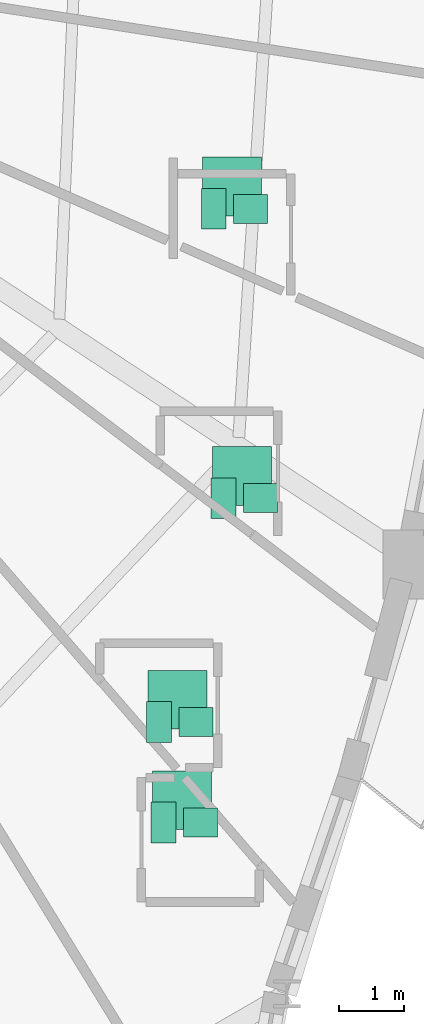
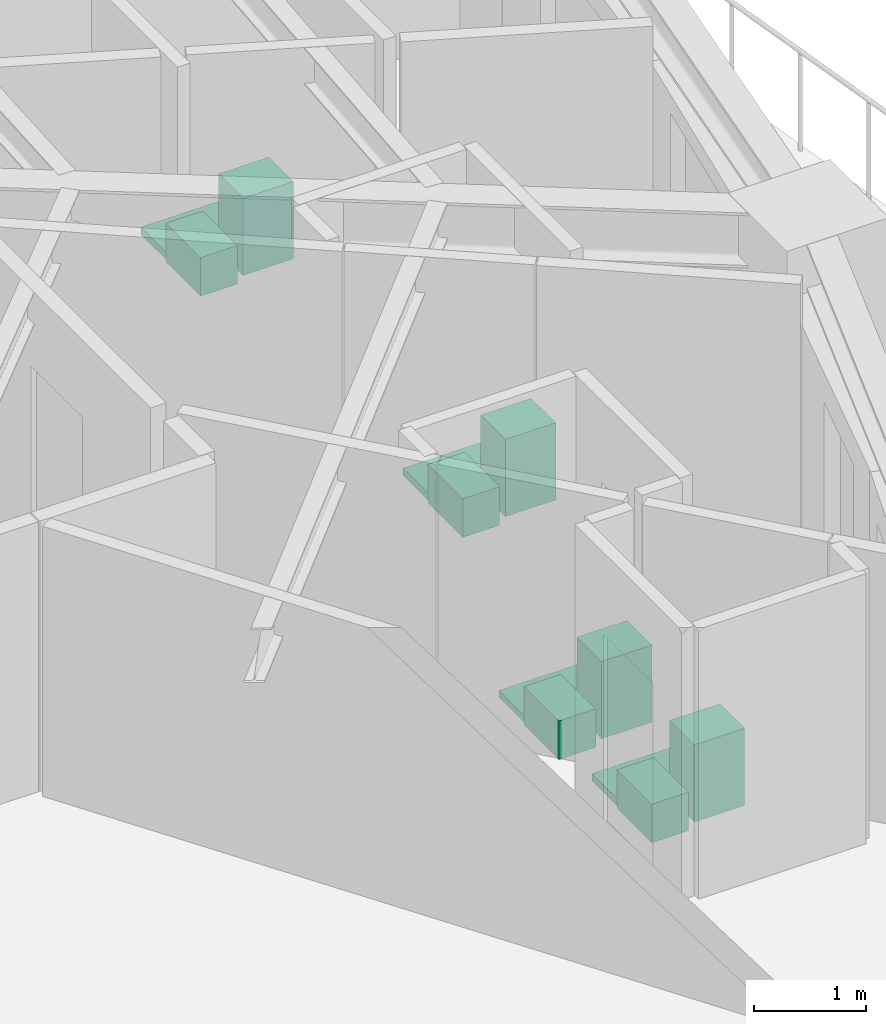
# One storey, part 13 of 13: 12 sanitary terminals.
"""IFC4 building model written with IfcOpenShell, lengths in metres."""

import ifcopenshell
import ifcopenshell.guid

model = None  # the IFC model being written
_history = None  # IfcOwnerHistory: only IFC2X3 demands one
_inside = {}  # id of a spatial element -> (the spatial element, [elements in it])
_under = {}  # id of a project, library or spatial element -> (it, [spatial elements below it])
_declared = {}  # id of a project -> (the project, [libraries it declares])
_typed = {}  # id of a type object -> (the type object, [elements of that type])
_made_of = {}  # id of a material, layer set ... -> (it, [elements and type objects made of it])


def new_model(schema):
    """Start an empty IFC model of exactly this schema.

    Asked for "IFC4X3", IfcOpenShell would pick the latest addendum, in which some entities
    have other attributes; the version numbers below select the first issue.
    IFC2X3 requires an IfcOwnerHistory on every rooted entity: one is made here for all.
    """
    global model, _history
    if schema == "IFC4X3":
        model = ifcopenshell.file(schema_version=(4, 3, 0, 0))
    else:
        model = ifcopenshell.file(schema=schema)
    _inside.clear()
    _under.clear()
    _declared.clear()
    _typed.clear()
    _made_of.clear()
    _history = None
    if model.schema == "IFC2X3":
        org = make("IfcOrganization", Name="unknown")
        user = make(
            "IfcPersonAndOrganization",
            ThePerson=make("IfcPerson", FamilyName="unknown"),
            TheOrganization=org,
        )
        app = make(
            "IfcApplication",
            ApplicationDeveloper=org,
            Version="unknown",
            ApplicationFullName="unknown",
            ApplicationIdentifier="unknown",
        )
        _history = make(
            "IfcOwnerHistory",
            OwningUser=user,
            OwningApplication=app,
            ChangeAction="ADDED",
            CreationDate=0,
        )
    return model


def make(cls, **values):
    """One entity of the class cls with the attributes given. An attribute that is None is left unset."""
    return model.create_entity(
        cls, **{name: value for name, value in values.items() if value is not None}
    )


def rooted(cls, **values):
    """An entity with a GlobalId (a new one), such as an element, a storey or a relation."""
    return make(cls, GlobalId=ifcopenshell.guid.new(), OwnerHistory=_history, **values)


def si_unit(unit_type, name, prefix=None):
    """IfcSIUnit, for example si_unit("LENGTHUNIT", "METRE", prefix="MILLI")."""
    return make("IfcSIUnit", UnitType=unit_type, Prefix=prefix, Name=name)


def assignment(units):
    """IfcUnitAssignment: the units of a project."""
    return None if units is None else make("IfcUnitAssignment", Units=units)


def point(xyz):
    """IfcCartesianPoint."""
    return None if xyz is None else make("IfcCartesianPoint", Coordinates=xyz)


def direction(xyz):
    """IfcDirection."""
    return None if xyz is None else make("IfcDirection", DirectionRatios=xyz)


def frame(location, z_axis=None, x_axis=None):
    """IfcAxis2Placement3D, a coordinate frame: its origin and axes. An axis left out is left unset."""
    return make(
        "IfcAxis2Placement3D",
        Location=point(location),
        Axis=direction(z_axis),
        RefDirection=direction(x_axis),
    )


def frame_2d(location, x_axis=None):
    """IfcAxis2Placement2D, a coordinate frame in the plane: its origin and x axis."""
    return make(
        "IfcAxis2Placement2D", Location=point(location), RefDirection=direction(x_axis)
    )


def origin():
    """The frame at (0, 0, 0) with its axes left unset."""
    return frame((0.0, 0.0, 0.0))


def origin_2d():
    """The frame at (0, 0) in the plane with its x axis left unset."""
    return frame_2d((0.0, 0.0))


def place(relative_to, where):
    """IfcLocalPlacement: puts the frame where relative to a parent placement (None: the world)."""
    return make(
        "IfcLocalPlacement", PlacementRelTo=relative_to, RelativePlacement=where
    )


def context(
    kind, dimensions, precision=None, world=None, true_north=None, identifier=None
):
    """IfcGeometricRepresentationContext, for example the 3D "Model" context."""
    return make(
        "IfcGeometricRepresentationContext",
        ContextIdentifier=identifier,
        ContextType=kind,
        CoordinateSpaceDimension=dimensions,
        Precision=precision,
        WorldCoordinateSystem=world,
        TrueNorth=true_north,
    )


def subcontext(parent, identifier, kind, view, scale=None):
    """IfcGeometricRepresentationSubContext, for example "Body" below "Model"."""
    return make(
        "IfcGeometricRepresentationSubContext",
        ContextIdentifier=identifier,
        ContextType=kind,
        ParentContext=parent,
        TargetScale=scale,
        TargetView=view,
    )


def project(units=None, contexts=None):
    """IfcProject with its units and contexts."""
    return rooted(
        "IfcProject",
        Name="project",
        RepresentationContexts=contexts,
        UnitsInContext=assignment(units),
    )


def spatial(cls, under=None, at=None, **own):
    """A site, building, storey or space (cls), placed at a placement, below another one or the project."""
    s = rooted(cls, ObjectPlacement=at, **own)
    if under is not None:
        _under.setdefault(under.id(), (under, []))[1].append(s)
    return s


def profile(cls, at=None, kind="AREA", **sizes):
    """A parametric profile (cls). Its sizes go by their IFC names, for example OverallWidth=200.0."""
    return make(cls, ProfileType=kind, Position=at, **sizes)


def rectangle(**sizes):
    """IfcRectangleProfileDef."""
    return profile("IfcRectangleProfileDef", **sizes)


def extrude(swept, where, along, depth):
    """IfcExtrudedAreaSolid: the profile swept, set in the frame where, extruded along a direction by depth."""
    return make(
        "IfcExtrudedAreaSolid",
        SweptArea=swept,
        Position=where,
        ExtrudedDirection=direction(along),
        Depth=depth,
    )


def shape(context_of_items, identifier, shape_type, items):
    """IfcShapeRepresentation: the items that make up one representation, for example the "Body"."""
    return make(
        "IfcShapeRepresentation",
        ContextOfItems=context_of_items,
        RepresentationIdentifier=identifier,
        RepresentationType=shape_type,
        Items=items,
    )


def source(mapping_origin, context_of_items, identifier, shape_type, items):
    """IfcRepresentationMap: a shape defined once, which mapped items show again and again."""
    return make(
        "IfcRepresentationMap",
        MappingOrigin=mapping_origin,
        MappedRepresentation=shape(context_of_items, identifier, shape_type, items),
    )


def transform(
    local_origin,
    x_axis=None,
    y_axis=None,
    z_axis=None,
    scale=None,
    scale2=None,
    scale3=None,
    uniform=True,
):
    """IfcCartesianTransformationOperator3D, or its non-uniform kind. x_axis, y_axis, z_axis: its Axis1, 2, 3."""
    if uniform:
        return make(
            "IfcCartesianTransformationOperator3D",
            Axis1=direction(x_axis),
            Axis2=direction(y_axis),
            LocalOrigin=point(local_origin),
            Scale=scale,
            Axis3=direction(z_axis),
        )
    return make(
        "IfcCartesianTransformationOperator3DnonUniform",
        Axis1=direction(x_axis),
        Axis2=direction(y_axis),
        LocalOrigin=point(local_origin),
        Scale=scale,
        Axis3=direction(z_axis),
        Scale2=scale2,
        Scale3=scale3,
    )


def mapped(mapping_source, mapping_target):
    """IfcMappedItem: shows the shape of a source again, moved by a transform."""
    return make(
        "IfcMappedItem", MappingSource=mapping_source, MappingTarget=mapping_target
    )


def material(Name=None, Category=None):
    """IfcMaterial."""
    return make("IfcMaterial", Name=Name, Category=Category)


def made_of(thing, what):
    """Note that an element or type object is made of a material, layer set ...; save() writes the relation."""
    if what is not None:
        _made_of.setdefault(what.id(), (what, []))[1].append(thing)
    return thing


def type_object(cls, material=None, **own):
    """A type object (cls), such as IfcWallType, which elements share."""
    return made_of(rooted(cls, **own), material)


def element(
    cls,
    number,
    at=None,
    inside=None,
    cuts=None,
    type_object=None,
    material=None,
    context=None,
    identifier="Body",
    shape_type=None,
    held_by="IfcProductDefinitionShape",
    body=None,
    shapes=None,
    **own,
):
    """One element of the class cls, such as IfcWall. Its Tag is "e" and its number.

    at: its placement. inside: the storey or other place that contains it. cuts: it is an
    opening in that element (IfcRelVoidsElement). A single representation is given by context,
    identifier, shape_type and body (its items); several are given by shapes. held_by: the class
    of the entity that holds the representations. save() writes the other relations.
    """
    e = rooted(cls, Tag="e%d" % number, ObjectPlacement=at, **own)
    if body is not None:
        shapes = [shape(context, identifier, shape_type, body)]
    if shapes is not None:
        e.Representation = make(held_by, Representations=shapes)
    if inside is not None:
        _inside.setdefault(inside.id(), (inside, []))[1].append(e)
    if cuts is not None:
        rooted(
            "IfcRelVoidsElement", RelatingBuildingElement=cuts, RelatedOpeningElement=e
        )
    if type_object is not None:
        _typed.setdefault(type_object.id(), (type_object, []))[1].append(e)
    return made_of(e, material)


def aggregate(whole, parts):
    """IfcRelAggregates: a whole, such as a stair, and the parts it consists of."""
    return rooted("IfcRelAggregates", RelatingObject=whole, RelatedObjects=parts)


def save(model, path):
    """Write the relations noted so far, then the file.

    IfcRelAggregates (storeys below a building ...), IfcRelContainedInSpatialStructure (elements
    in a storey), IfcRelDefinesByType, IfcRelAssociatesMaterial and IfcRelDeclares: one each for
    every whole, place, type object, material and project.
    """
    for whole, parts in _under.values():
        aggregate(whole, parts)
    for where, things in _inside.values():
        rooted(
            "IfcRelContainedInSpatialStructure",
            RelatedElements=things,
            RelatingStructure=where,
        )
    for kind, things in _typed.values():
        rooted("IfcRelDefinesByType", RelatedObjects=things, RelatingType=kind)
    for what, things in _made_of.values():
        rooted("IfcRelAssociatesMaterial", RelatedObjects=things, RelatingMaterial=what)
    for by, libraries in _declared.values():
        rooted("IfcRelDeclares", RelatingContext=by, RelatedDefinitions=libraries)
    model.write(path)


model = new_model("IFC4")

# Units and contexts
model_context = context("Model", 3, precision=1e-05, world=origin(), true_north=direction((0.0, 1.0)))
body_context = subcontext(model_context, "Body", "Model", "MODEL_VIEW")
ifc_project = project(units=[si_unit("LENGTHUNIT", "METRE"), si_unit("AREAUNIT", "SQUARE_METRE"), si_unit("VOLUMEUNIT", "CUBIC_METRE"), si_unit("PLANEANGLEUNIT", "RADIAN"), si_unit("MASSUNIT", "GRAM", prefix="KILO")], contexts=[model_context])

# Site, building, storey
site_placement = place(None, origin())
site = spatial("IfcSite", under=ifc_project, at=site_placement, CompositionType="ELEMENT")
building_placement = place(site_placement, origin())
building = spatial("IfcBuilding", under=site, at=building_placement, Name="Qafzar Sky-Pleat Residences", CompositionType="ELEMENT")
storey_placement = place(building_placement, frame((0.0, 0.0, 59.0)))
storey = spatial("IfcBuildingStorey", under=building, at=storey_placement, Name="L17", CompositionType="ELEMENT", Elevation=59.0)

# Sanitary terminals
ifc_material_1 = material(Name="Vitreous china sanitaryware")
sanitary_terminal_type_1 = type_object("IfcSanitaryTerminalType", Name="SAN-WC-PAN", PredefinedType="TOILETPAN", material=ifc_material_1)
shared_shape_1 = source(origin(), body_context, "Body", "SweptSolid", [
    extrude(rectangle(XDim=0.3798828125, YDim=0.6201171875, at=origin_2d()), origin(), (0.0, 0.0, 1.0), 0.419921875),
])
for number, where, z_axis, x_axis, name in (
    (1, (41.378662109375, 12.22705078125, 0.0), (0.0, 0.0, 1.0), (1.0, 0.0, 0.0), "L17 En-suite Bathroom 1 WC Pan"),
    (2, (41.309326171875, 13.76171875, 0.0), (0.0, 0.0, 1.0), (1.0, 0.0, 0.0), "L17 En-suite Bathroom 2 WC Pan"),
    (3, (42.294677734375, 17.181884765625, 0.0), (0.0, 0.0, 1.0), (1.0, 0.0, 0.0), "L17 En-suite Bathroom 3 WC Pan"),
    (4, (42.14306640625, 21.597900390625, 0.0), (0.0, 0.0, 1.0), (1.0, 0.0, 0.0), "L17 En-suite Bathroom 4 WC Pan"),
):
    element("IfcSanitaryTerminal", number, at=place(storey_placement, frame(where, z_axis=z_axis, x_axis=x_axis)), inside=storey, type_object=sanitary_terminal_type_1, Name=name, PredefinedType="TOILETPAN", context=body_context, shape_type="MappedRepresentation", body=[
        mapped(shared_shape_1, transform((0.0, 0.0, 0.0), x_axis=(1.0, 0.0, 0.0), y_axis=(0.0, 1.0, 0.0), z_axis=(0.0, 0.0, 1.0), scale=1.0)),
    ])
sanitary_terminal_type_2 = type_object("IfcSanitaryTerminalType", Name="SAN-BASIN", PredefinedType="WASHHANDBASIN", material=ifc_material_1)
shared_shape_2 = source(origin(), body_context, "Body", "SweptSolid", [
    extrude(rectangle(XDim=0.52001953125, YDim=0.43994140625, at=origin_2d()), origin(), (0.0, 0.0, 1.0), 0.840087890625),
])
for number, where, z_axis, x_axis, name in (
    (5, (41.938720703125, 12.22705078125, 0.0), (0.0, 0.0, 1.0), (1.0, 0.0, 0.0), "L17 En-suite Bathroom 1 Pedestal Washbasin"),
    (6, (41.869384765625, 13.76171875, 0.0), (0.0, 0.0, 1.0), (1.0, 0.0, 0.0), "L17 En-suite Bathroom 2 Pedestal Washbasin"),
    (7, (42.8544921875, 17.181884765625, 0.0), (0.0, 0.0, 1.0), (1.0, 0.0, 0.0), "L17 En-suite Bathroom 3 Pedestal Washbasin"),
    (8, (42.702880859375, 21.597900390625, 0.0), (0.0, 0.0, 1.0), (1.0, 0.0, 0.0), "L17 En-suite Bathroom 4 Pedestal Washbasin"),
):
    element("IfcSanitaryTerminal", number, at=place(storey_placement, frame(where, z_axis=z_axis, x_axis=x_axis)), inside=storey, type_object=sanitary_terminal_type_2, Name=name, PredefinedType="WASHHANDBASIN", context=body_context, shape_type="MappedRepresentation", body=[
        mapped(shared_shape_2, transform((0.0, 0.0, 0.0), x_axis=(1.0, 0.0, 0.0), y_axis=(0.0, 1.0, 0.0), z_axis=(0.0, 0.0, 1.0), scale=1.0)),
    ])
ifc_material_2 = material(Name="Vitreous china and acrylic tray")
sanitary_terminal_type_3 = type_object("IfcSanitaryTerminalType", Name="SAN-SHOWER", PredefinedType="SHOWER", material=ifc_material_2)
shared_shape_3 = source(origin(), body_context, "Body", "SweptSolid", [
    extrude(rectangle(XDim=0.89990234375, YDim=0.89990234375, at=origin_2d()), origin(), (0.0, 0.0, 1.0), 0.080078125),
])
for number, where, z_axis, x_axis, name in (
    (9, (41.65869140625, 12.567138671875, 0.0), (0.0, 0.0, 1.0), (1.0, 0.0, 0.0), "L17 En-suite Bathroom 1 Walk-In Shower"),
    (10, (41.58935546875, 14.101806640625, 0.0), (0.0, 0.0, 1.0), (1.0, 0.0, 0.0), "L17 En-suite Bathroom 2 Walk-In Shower"),
    (11, (42.57470703125, 17.521728515625, 0.0), (0.0, 0.0, 1.0), (1.0, 0.0, 0.0), "L17 En-suite Bathroom 3 Walk-In Shower"),
    (12, (42.423095703125, 21.93798828125, 0.0), (0.0, 0.0, 1.0), (1.0, 0.0, 0.0), "L17 En-suite Bathroom 4 Walk-In Shower"),
):
    element("IfcSanitaryTerminal", number, at=place(storey_placement, frame(where, z_axis=z_axis, x_axis=x_axis)), inside=storey, type_object=sanitary_terminal_type_3, Name=name, PredefinedType="SHOWER", context=body_context, shape_type="MappedRepresentation", body=[
        mapped(shared_shape_3, transform((0.0, 0.0, 0.0), x_axis=(1.0, 0.0, 0.0), y_axis=(0.0, 1.0, 0.0), z_axis=(0.0, 0.0, 1.0), scale=1.0)),
    ])

save(model, "model.ifc")
